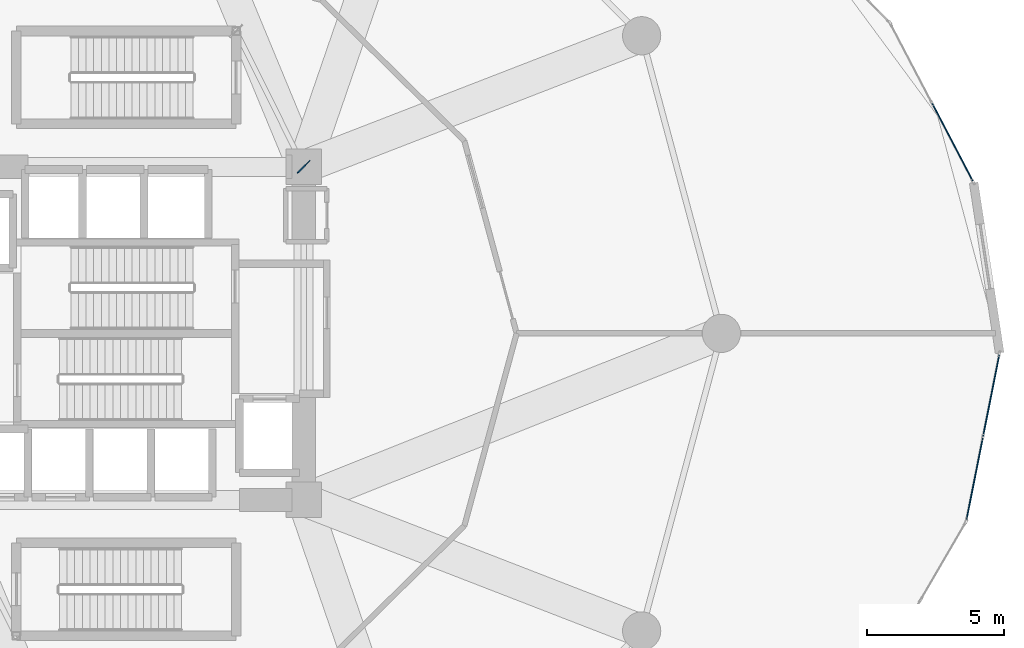
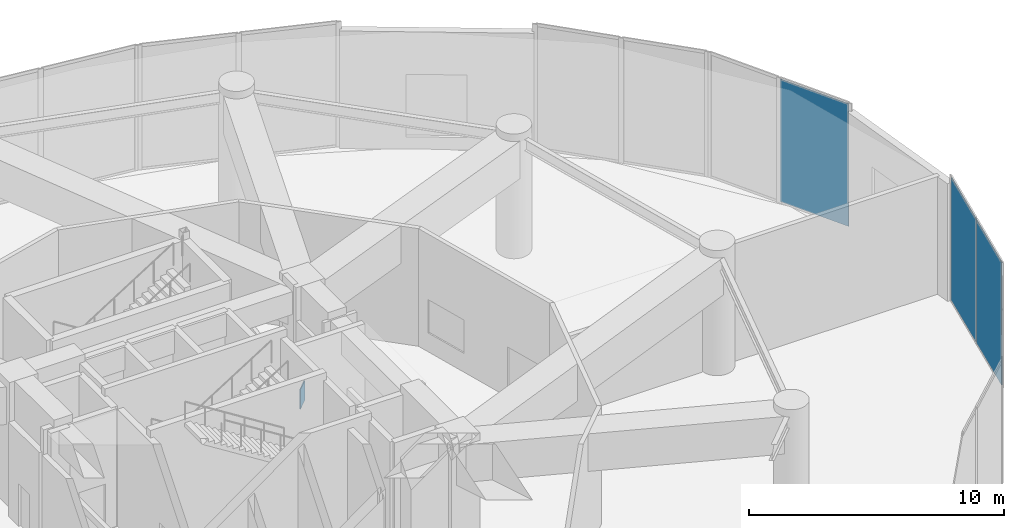
# One storey, part 21 of 28: 4 plates, 2 elements without a shape of their own.
"""IFC4 building model written with IfcOpenShell, lengths in metres."""

from ifc_helpers import new_model, si_unit, direction, frame, origin, origin_2d, place, context, subcontext, project, spatial, rectangle, extrude, source, transform, mapped, material, layer, layer_set, type_object, element, aggregate, save


model = new_model("IFC4")

# Units and contexts
model_context = context("Model", 3, precision=1e-05, world=origin(), true_north=direction((0.0, 1.0)))
body_context = subcontext(model_context, "Body", "Model", "MODEL_VIEW")
ifc_project = project(units=[si_unit("LENGTHUNIT", "METRE"), si_unit("AREAUNIT", "SQUARE_METRE"), si_unit("VOLUMEUNIT", "CUBIC_METRE"), si_unit("PLANEANGLEUNIT", "RADIAN"), si_unit("MASSUNIT", "GRAM", prefix="KILO")], contexts=[model_context])

# Site, building, storey
site_placement = place(None, origin())
site = spatial("IfcSite", under=ifc_project, at=site_placement, CompositionType="ELEMENT")
building_placement = place(site_placement, origin())
building = spatial("IfcBuilding", under=site, at=building_placement, Name="Solvirekh Grand Hotel", CompositionType="ELEMENT")
storey_placement = place(building_placement, frame((0.0, 0.0, 12.60009765625)))
storey = spatial("IfcBuildingStorey", under=building, at=storey_placement, Name="L02", CompositionType="ELEMENT", Elevation=12.60009765625)

# Plate
ifc_material_1 = material(Name="Steel S355", Category="steel")
ifc_layer_1 = layer(ifc_material_1, 0.0400390625)
ifc_layer_set_1 = layer_set([ifc_layer_1], Name="Steel S355")
plate_type_1 = type_object("IfcPlateType", Name="NodeCapPlate_40", PredefinedType="SHEET", material=ifc_layer_set_1)
plate_1_placement = place(storey_placement, frame((6.5, 6.10009765625, -0.22509765625), z_axis=(0.0, 0.0, 1.0), x_axis=(-0.707106781187, 0.707106781187, 0.0)))
element("IfcPlate", 1, at=plate_1_placement, inside=storey, type_object=plate_type_1, Name="L02 hollow-section node plate NP-L02-SG4A", PredefinedType="SHEET", context=body_context, shape_type="SweptSolid", body=[
    extrude(rectangle(XDim=0.0400390625, YDim=0.64990234375, at=origin_2d()), origin(), (0.0, 0.0, 1.0), 0.949951171875),
])

# Curtain wall, plate
ifc_material_2 = material(Name="Anodized Bronze Aluminium 6063-T6", Category="aluminium")
ifc_layer_2 = layer(ifc_material_2, 0.219970703125)
ifc_layer_set_2 = layer_set([ifc_layer_2], Name="Anodized Bronze Aluminium 6063-T6")
curtain_wall_type = type_object("IfcCurtainWallType", Name="CW_Sys1_PodiumBronzeUnitised", PredefinedType="NOTDEFINED", material=ifc_layer_set_2)
curtain_wall_1_placement = place(storey_placement, origin())
curtain_wall_1 = element("IfcCurtainWall", 2, at=curtain_wall_1_placement, inside=storey, type_object=curtain_wall_type, Name="L02 unitised bronze-glass curtain wall CW-L02-C02", PredefinedType="NOTDEFINED")
ifc_material_3 = material(Name="Low-E Tinted Bronze Laminated Glass", Category="aluminium")
ifc_layer_3 = layer(ifc_material_3, 0.0439453125)
ifc_layer_set_3 = layer_set([ifc_layer_3], Name="Low-E Tinted Bronze Laminated Glass")
plate_type_2 = type_object("IfcPlateType", Name="CWPanel_Podium_44", PredefinedType="CURTAIN_PANEL", material=ifc_layer_set_3)
shared_shape_1 = source(origin(), body_context, "Body", "SweptSolid", [
    extrude(rectangle(XDim=3.193603515625, YDim=0.0439453125, at=origin_2d()), origin(), (0.0, 0.0, 1.0), 5.8701171875),
])
plate_2_placement = place(storey_placement, frame((30.265625, 7.001220703125, 0.06494140625), z_axis=(0.0, 0.0, 1.0), x_axis=(-0.463831802821, 0.885923280364, 0.0)))
plate_2 = element("IfcPlate", 3, at=plate_2_placement, type_object=plate_type_2, Name="U01 panel 1.1", PredefinedType="CURTAIN_PANEL", context=body_context, shape_type="MappedRepresentation", body=[
    mapped(shared_shape_1, transform((0.0, 0.0, 0.0), x_axis=(1.0, 0.0, 0.0), y_axis=(0.0, 1.0, 0.0), z_axis=(0.0, 0.0, 1.0), scale=1.0)),
])
aggregate(curtain_wall_1, [plate_2])

# Curtain wall, plates
curtain_wall_2_placement = place(storey_placement, origin())
curtain_wall_2 = element("IfcCurtainWall", 4, at=curtain_wall_2_placement, inside=storey, type_object=curtain_wall_type, Name="L02 unitised bronze-glass curtain wall CW-L02-C24", PredefinedType="NOTDEFINED")
shared_shape_2 = source(origin(), body_context, "Body", "SweptSolid", [
    extrude(rectangle(XDim=3.041015625, YDim=0.0439453125, at=origin_2d()), origin(), (0.0, 0.0, 1.0), 5.8701171875),
])
plate_3_placement = place(storey_placement, frame((31.073974609375, -5.336181640625, 0.06494140625), z_axis=(0.0, 0.0, 1.0), x_axis=(0.194865819503, 0.98082991002, 0.0)))
plate_3 = element("IfcPlate", 5, at=plate_3_placement, type_object=plate_type_2, Name="U01 panel 1.1", PredefinedType="CURTAIN_PANEL", context=body_context, shape_type="MappedRepresentation", body=[
    mapped(shared_shape_2, transform((0.0, 0.0, 0.0), x_axis=(1.0, 0.0, 0.0), y_axis=(0.0, 1.0, 0.0), z_axis=(0.0, 0.0, 1.0), scale=1.0)),
])
plate_4_placement = place(storey_placement, frame((31.68115234375, -2.27978515625, 0.06494140625), z_axis=(0.0, 0.0, 1.0), x_axis=(0.194865819503, 0.98082991002, 0.0)))
plate_4 = element("IfcPlate", 6, at=plate_4_placement, type_object=plate_type_2, Name="U01 panel 2.1", PredefinedType="CURTAIN_PANEL", context=body_context, shape_type="MappedRepresentation", body=[
    mapped(shared_shape_2, transform((0.0, 0.0, 0.0), x_axis=(1.0, 0.0, 0.0), y_axis=(0.0, 1.0, 0.0), z_axis=(0.0, 0.0, 1.0), scale=1.0)),
])
aggregate(curtain_wall_2, [plate_3, plate_4])

save(model, "model.ifc")
